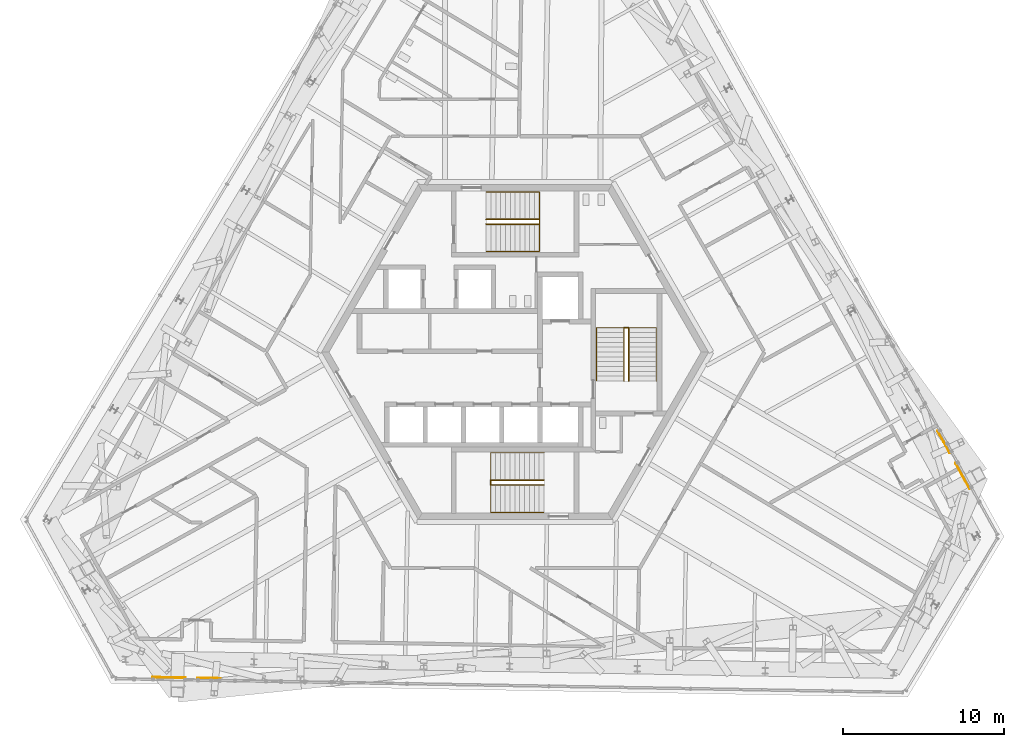
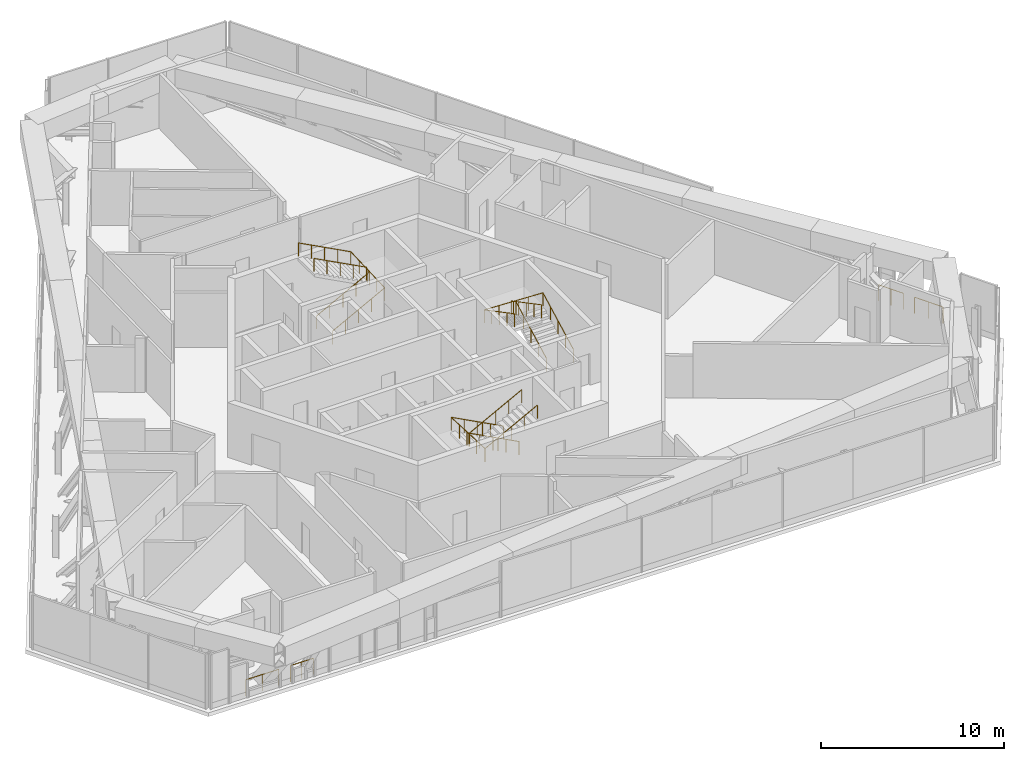
# One storey, part 26 of 28: 10 railings.
"""IFC4 building model written with IfcOpenShell, lengths in metres."""

from ifc_helpers import new_model, si_unit, direction, frame, origin, origin_2d, place, context, subcontext, project, spatial, circle, extrude, source, transform, mapped, material, type_object, element, save


model = new_model("IFC4")

# Units and contexts
model_context = context("Model", 3, precision=1e-05, world=origin(), true_north=direction((0.0, 1.0)))
body_context = subcontext(model_context, "Body", "Model", "MODEL_VIEW")
ifc_project = project(units=[si_unit("LENGTHUNIT", "METRE"), si_unit("AREAUNIT", "SQUARE_METRE"), si_unit("VOLUMEUNIT", "CUBIC_METRE"), si_unit("PLANEANGLEUNIT", "RADIAN"), si_unit("MASSUNIT", "GRAM", prefix="KILO")], contexts=[model_context])

# Site, building, storey
site_placement = place(None, origin())
site = spatial("IfcSite", under=ifc_project, at=site_placement, CompositionType="ELEMENT")
building_placement = place(site_placement, origin())
building = spatial("IfcBuilding", under=site, at=building_placement, Name="Triune Harvest Tower", CompositionType="ELEMENT")
storey_placement = place(building_placement, frame((0.0, 0.0, 215.89990234375)))
storey = spatial("IfcBuildingStorey", under=building, at=storey_placement, Name="L56", CompositionType="ELEMENT", Elevation=215.89990234375)

# Railings
ifc_material_1 = material(Name="Glass", Category="glass")
railing_type_1 = type_object("IfcRailingType", Name="GD-3 facade guard 1100", PredefinedType="GUARDRAIL", material=ifc_material_1)
railing_1_placement = place(storey_placement, frame((28.1943359375, -8.469970703125, 0.0)))
element("IfcRailing", 1, at=railing_1_placement, inside=storey, type_object=railing_type_1, Name="Facade guard B5-F1 L56.1.1", PredefinedType="GUARDRAIL", context=body_context, shape_type="SweptSolid", body=[
    extrude(circle(Radius=0.02392578125, at=origin_2d()), frame((0.0, 0.0, 1.076171875), z_axis=(-0.484736737106, 0.874660102954, 0.0), x_axis=(-0.874660102954, -0.484736737106, 0.0)), (0.0, 0.0, 1.0), 1.8076171875),
    extrude(circle(Radius=0.02099609375, at=origin_2d()), origin(), (0.0, 0.0, 1.0), 1.052001953125),
    extrude(circle(Radius=0.02099609375, at=origin_2d()), frame((-0.43798828125, 0.79052734375, 0.0)), (0.0, 0.0, 1.0), 1.052001953125),
    extrude(circle(Radius=0.02099609375, at=origin_2d()), frame((-0.876220703125, 1.5810546875, 0.0)), (0.0, 0.0, 1.0), 1.052001953125),
])
railing_2_placement = place(storey_placement, frame((26.96533203125, -6.252685546875, 0.0)))
element("IfcRailing", 2, at=railing_2_placement, inside=storey, type_object=railing_type_1, Name="Facade guard B5-F1 L56.1.2", PredefinedType="GUARDRAIL", context=body_context, shape_type="SweptSolid", body=[
    extrude(circle(Radius=0.02392578125, at=origin_2d()), frame((0.0, 0.0, 1.076171875), z_axis=(-0.484871998099, 0.874585127623, 0.0), x_axis=(-0.874585127623, -0.484871998099, 0.0)), (0.0, 0.0, 1.0), 1.559814453125),
    extrude(circle(Radius=0.02099609375, at=origin_2d()), origin(), (0.0, 0.0, 1.0), 1.052001953125),
    extrude(circle(Radius=0.02099609375, at=origin_2d()), frame((-0.378173828125, 0.68212890625, 0.0)), (0.0, 0.0, 1.0), 1.052001953125),
    extrude(circle(Radius=0.02099609375, at=origin_2d()), frame((-0.75634765625, 1.3642578125, 0.0)), (0.0, 0.0, 1.0), 1.052001953125),
])
railing_3_placement = place(storey_placement, frame((-22.491943359375, -20.16357421875, 0.0)))
element("IfcRailing", 3, at=railing_3_placement, inside=storey, type_object=railing_type_1, Name="Facade guard B5-F5 L56.1.1", PredefinedType="GUARDRAIL", context=body_context, shape_type="SweptSolid", body=[
    extrude(circle(Radius=0.02392578125, at=origin_2d()), frame((0.0, 0.0, 1.076171875), z_axis=(0.999846105535, -0.017543239315, 0.0), x_axis=(0.017543239315, 0.999846105535, 0.0)), (0.0, 0.0, 1.0), 2.0595703125),
    extrude(circle(Radius=0.02099609375, at=origin_2d()), origin(), (0.0, 0.0, 1.0), 1.052001953125),
    extrude(circle(Radius=0.02099609375, at=origin_2d()), frame((1.02978515625, -0.01806640625, 0.0)), (0.0, 0.0, 1.0), 1.052001953125),
    extrude(circle(Radius=0.02099609375, at=origin_2d()), frame((2.059326171875, -0.0361328125, 0.0)), (0.0, 0.0, 1.0), 1.052001953125),
])
railing_4_placement = place(storey_placement, frame((-19.705078125, -20.21240234375, 0.0)))
element("IfcRailing", 4, at=railing_4_placement, inside=storey, type_object=railing_type_1, Name="Facade guard B5-F5 L56.1.2", PredefinedType="GUARDRAIL", context=body_context, shape_type="SweptSolid", body=[
    extrude(circle(Radius=0.02392578125, at=origin_2d()), frame((0.0, 0.0, 1.076171875), z_axis=(0.999847873438, -0.017442189685, 0.0), x_axis=(0.017442189685, 0.999847873438, 0.0)), (0.0, 0.0, 1.0), 1.427734375),
    extrude(circle(Radius=0.02099609375, at=origin_2d()), origin(), (0.0, 0.0, 1.0), 1.052001953125),
    extrude(circle(Radius=0.02099609375, at=origin_2d()), frame((0.7138671875, -0.012451171875, 0.0)), (0.0, 0.0, 1.0), 1.052001953125),
    extrude(circle(Radius=0.02099609375, at=origin_2d()), frame((1.427490234375, -0.02490234375, 0.0)), (0.0, 0.0, 1.0), 1.052001953125),
])
ifc_material_2 = material(Name="Stainless steel AISI 316", Category="steel")
railing_type_2 = type_object("IfcRailingType", Name="Stair handrail", PredefinedType="HANDRAIL", material=ifc_material_2)
shared_shape_1 = source(origin(), body_context, "Body", "SweptSolid", [
    extrude(circle(Radius=0.02392578125, at=origin_2d()), frame((0.0, 0.0, 0.8759765625), z_axis=(0.884384002621, 0.0, 0.466760041037), x_axis=(0.0, 1.0, 0.0)), (0.0, 0.0, 1.0), 3.7314453125),
    extrude(circle(Radius=0.02392578125, at=origin_2d()), frame((3.300048828125, 0.0, 2.61767578125), z_axis=(0.0, 0.999087121181, 0.042719132598), x_axis=(-1.0, 0.0, 0.0)), (0.0, 0.0, 1.0), 3.703369140625),
    extrude(circle(Radius=0.02392578125, at=origin_2d()), frame((3.300048828125, 3.699951171875, 2.77587890625), z_axis=(-0.884384002621, 0.0, 0.466760041037), x_axis=(0.0, -1.0, 0.0)), (0.0, 0.0, 1.0), 3.7314453125),
    extrude(circle(Radius=0.02099609375, at=origin_2d()), origin(), (0.0, 0.0, 1.0), 0.851806640625),
    extrude(circle(Radius=0.02099609375, at=origin_2d()), frame((0.824951171875, 0.0, 0.435546875)), (0.0, 0.0, 1.0), 0.851806640625),
    extrude(circle(Radius=0.02099609375, at=origin_2d()), frame((1.64990234375, 0.0, 0.870849609375)), (0.0, 0.0, 1.0), 0.851806640625),
    extrude(circle(Radius=0.02099609375, at=origin_2d()), frame((2.47509765625, 0.0, 1.30615234375)), (0.0, 0.0, 1.0), 0.851806640625),
    extrude(circle(Radius=0.02099609375, at=origin_2d()), frame((3.300048828125, 0.0, 1.74169921875)), (0.0, 0.0, 1.0), 0.851806640625),
    extrude(circle(Radius=0.02099609375, at=origin_2d()), frame((3.300048828125, 0.925048828125, 1.78125)), (0.0, 0.0, 1.0), 0.851806640625),
    extrude(circle(Radius=0.02099609375, at=origin_2d()), frame((3.300048828125, 1.85009765625, 1.82080078125)), (0.0, 0.0, 1.0), 0.851806640625),
    extrude(circle(Radius=0.02099609375, at=origin_2d()), frame((3.300048828125, 2.77490234375, 1.8603515625)), (0.0, 0.0, 1.0), 0.851806640625),
    extrude(circle(Radius=0.02099609375, at=origin_2d()), frame((3.300048828125, 3.699951171875, 1.89990234375)), (0.0, 0.0, 1.0), 0.851806640625),
    extrude(circle(Radius=0.02099609375, at=origin_2d()), frame((2.47509765625, 3.699951171875, 2.33544921875)), (0.0, 0.0, 1.0), 0.851806640625),
    extrude(circle(Radius=0.02099609375, at=origin_2d()), frame((1.64990234375, 3.699951171875, 2.770751953125)), (0.0, 0.0, 1.0), 0.851806640625),
    extrude(circle(Radius=0.02099609375, at=origin_2d()), frame((0.824951171875, 3.699951171875, 3.2060546875)), (0.0, 0.0, 1.0), 0.851806640625),
    extrude(circle(Radius=0.02099609375, at=origin_2d()), frame((0.0, 3.699951171875, 3.6416015625)), (0.0, 0.0, 1.0), 0.851806640625),
])
railing_5_placement = place(storey_placement, frame((-1.7900390625, 6.239990234375, 0.158447265625)))
element("IfcRailing", 5, at=railing_5_placement, inside=storey, type_object=railing_type_2, Name="Exit stair north wall handrail", PredefinedType="HANDRAIL", context=body_context, shape_type="MappedRepresentation", body=[
    mapped(shared_shape_1, transform((0.0, 0.0, 0.0), scale=1.0)),
])
shared_shape_2 = source(origin(), body_context, "Body", "SweptSolid", [
    extrude(circle(Radius=0.02392578125, at=origin_2d()), frame((0.0, 0.0, 0.8759765625), z_axis=(0.884384002621, 0.0, 0.466760041037), x_axis=(0.0, 1.0, 0.0)), (0.0, 0.0, 1.0), 3.7314453125),
    extrude(circle(Radius=0.02392578125, at=origin_2d()), frame((3.300048828125, 0.0, 2.61767578125), z_axis=(0.0, 0.884574499493, 0.466398922434), x_axis=(-1.0, 0.0, 0.0)), (0.0, 0.0, 1.0), 0.339111328125),
    extrude(circle(Radius=0.02392578125, at=origin_2d()), frame((3.300048828125, 0.300048828125, 2.77587890625), z_axis=(-0.884384002621, 0.0, 0.466760041037), x_axis=(0.0, -1.0, 0.0)), (0.0, 0.0, 1.0), 3.7314453125),
    extrude(circle(Radius=0.02099609375, at=origin_2d()), origin(), (0.0, 0.0, 1.0), 0.851806640625),
    extrude(circle(Radius=0.02099609375, at=origin_2d()), frame((0.824951171875, 0.0, 0.435546875)), (0.0, 0.0, 1.0), 0.851806640625),
    extrude(circle(Radius=0.02099609375, at=origin_2d()), frame((1.64990234375, 0.0, 0.870849609375)), (0.0, 0.0, 1.0), 0.851806640625),
    extrude(circle(Radius=0.02099609375, at=origin_2d()), frame((2.47509765625, 0.0, 1.30615234375)), (0.0, 0.0, 1.0), 0.851806640625),
    extrude(circle(Radius=0.02099609375, at=origin_2d()), frame((3.300048828125, 0.0, 1.74169921875)), (0.0, 0.0, 1.0), 0.851806640625),
    extrude(circle(Radius=0.02099609375, at=origin_2d()), frame((3.300048828125, 0.300048828125, 1.89990234375)), (0.0, 0.0, 1.0), 0.851806640625),
    extrude(circle(Radius=0.02099609375, at=origin_2d()), frame((2.47509765625, 0.300048828125, 2.33544921875)), (0.0, 0.0, 1.0), 0.851806640625),
    extrude(circle(Radius=0.02099609375, at=origin_2d()), frame((1.64990234375, 0.300048828125, 2.770751953125)), (0.0, 0.0, 1.0), 0.851806640625),
    extrude(circle(Radius=0.02099609375, at=origin_2d()), frame((0.824951171875, 0.300048828125, 3.2060546875)), (0.0, 0.0, 1.0), 0.851806640625),
    extrude(circle(Radius=0.02099609375, at=origin_2d()), frame((0.0, 0.300048828125, 3.6416015625)), (0.0, 0.0, 1.0), 0.851806640625),
])
railing_6_placement = place(storey_placement, frame((-1.7900390625, 7.93994140625, 0.158447265625)))
element("IfcRailing", 6, at=railing_6_placement, inside=storey, type_object=railing_type_2, Name="Exit stair north centre handrail", PredefinedType="HANDRAIL", context=body_context, shape_type="MappedRepresentation", body=[
    mapped(shared_shape_2, transform((0.0, 0.0, 0.0), scale=1.0)),
])
shared_shape_3 = source(origin(), body_context, "Body", "SweptSolid", [
    extrude(circle(Radius=0.02392578125, at=origin_2d()), frame((0.0, 0.0, 0.8759765625), z_axis=(-0.884384002621, 0.0, 0.466760041037), x_axis=(0.0, -1.0, 0.0)), (0.0, 0.0, 1.0), 3.7314453125),
    extrude(circle(Radius=0.02392578125, at=origin_2d()), frame((-3.300048828125, 0.0, 2.61767578125), z_axis=(0.0, -0.999087121181, 0.042719132598), x_axis=(1.0, 0.0, 0.0)), (0.0, 0.0, 1.0), 3.703369140625),
    extrude(circle(Radius=0.02392578125, at=origin_2d()), frame((-3.300048828125, -3.699951171875, 2.77587890625), z_axis=(0.884384002621, 0.0, 0.466760041037), x_axis=(0.0, 1.0, 0.0)), (0.0, 0.0, 1.0), 3.7314453125),
    extrude(circle(Radius=0.02099609375, at=origin_2d()), origin(), (0.0, 0.0, 1.0), 0.851806640625),
    extrude(circle(Radius=0.02099609375, at=origin_2d()), frame((-0.824951171875, 0.0, 0.435546875)), (0.0, 0.0, 1.0), 0.851806640625),
    extrude(circle(Radius=0.02099609375, at=origin_2d()), frame((-1.64990234375, 0.0, 0.870849609375)), (0.0, 0.0, 1.0), 0.851806640625),
    extrude(circle(Radius=0.02099609375, at=origin_2d()), frame((-2.47509765625, 0.0, 1.30615234375)), (0.0, 0.0, 1.0), 0.851806640625),
    extrude(circle(Radius=0.02099609375, at=origin_2d()), frame((-3.300048828125, 0.0, 1.74169921875)), (0.0, 0.0, 1.0), 0.851806640625),
    extrude(circle(Radius=0.02099609375, at=origin_2d()), frame((-3.300048828125, -0.925048828125, 1.78125)), (0.0, 0.0, 1.0), 0.851806640625),
    extrude(circle(Radius=0.02099609375, at=origin_2d()), frame((-3.300048828125, -1.85009765625, 1.82080078125)), (0.0, 0.0, 1.0), 0.851806640625),
    extrude(circle(Radius=0.02099609375, at=origin_2d()), frame((-3.300048828125, -2.77490234375, 1.8603515625)), (0.0, 0.0, 1.0), 0.851806640625),
    extrude(circle(Radius=0.02099609375, at=origin_2d()), frame((-3.300048828125, -3.699951171875, 1.89990234375)), (0.0, 0.0, 1.0), 0.851806640625),
    extrude(circle(Radius=0.02099609375, at=origin_2d()), frame((-2.47509765625, -3.699951171875, 2.33544921875)), (0.0, 0.0, 1.0), 0.851806640625),
    extrude(circle(Radius=0.02099609375, at=origin_2d()), frame((-1.64990234375, -3.699951171875, 2.770751953125)), (0.0, 0.0, 1.0), 0.851806640625),
    extrude(circle(Radius=0.02099609375, at=origin_2d()), frame((-0.824951171875, -3.699951171875, 3.2060546875)), (0.0, 0.0, 1.0), 0.851806640625),
    extrude(circle(Radius=0.02099609375, at=origin_2d()), frame((0.0, -3.699951171875, 3.6416015625)), (0.0, 0.0, 1.0), 0.851806640625),
])
railing_7_placement = place(storey_placement, frame((1.7900390625, -6.239990234375, 0.158447265625)))
element("IfcRailing", 7, at=railing_7_placement, inside=storey, type_object=railing_type_2, Name="Exit stair south wall handrail", PredefinedType="HANDRAIL", context=body_context, shape_type="MappedRepresentation", body=[
    mapped(shared_shape_3, transform((0.0, 0.0, 0.0), scale=1.0)),
])
shared_shape_4 = source(origin(), body_context, "Body", "SweptSolid", [
    extrude(circle(Radius=0.02392578125, at=origin_2d()), frame((0.0, 0.0, 0.8759765625), z_axis=(-0.884384002621, 0.0, 0.466760041037), x_axis=(0.0, -1.0, 0.0)), (0.0, 0.0, 1.0), 3.7314453125),
    extrude(circle(Radius=0.02392578125, at=origin_2d()), frame((-3.300048828125, 0.0, 2.61767578125), z_axis=(0.0, -0.884574499493, 0.466398922434), x_axis=(1.0, 0.0, 0.0)), (0.0, 0.0, 1.0), 0.339111328125),
    extrude(circle(Radius=0.02392578125, at=origin_2d()), frame((-3.300048828125, -0.300048828125, 2.77587890625), z_axis=(0.884384002621, 0.0, 0.466760041037), x_axis=(0.0, 1.0, 0.0)), (0.0, 0.0, 1.0), 3.7314453125),
    extrude(circle(Radius=0.02099609375, at=origin_2d()), origin(), (0.0, 0.0, 1.0), 0.851806640625),
    extrude(circle(Radius=0.02099609375, at=origin_2d()), frame((-0.824951171875, 0.0, 0.435546875)), (0.0, 0.0, 1.0), 0.851806640625),
    extrude(circle(Radius=0.02099609375, at=origin_2d()), frame((-1.64990234375, 0.0, 0.870849609375)), (0.0, 0.0, 1.0), 0.851806640625),
    extrude(circle(Radius=0.02099609375, at=origin_2d()), frame((-2.47509765625, 0.0, 1.30615234375)), (0.0, 0.0, 1.0), 0.851806640625),
    extrude(circle(Radius=0.02099609375, at=origin_2d()), frame((-3.300048828125, 0.0, 1.74169921875)), (0.0, 0.0, 1.0), 0.851806640625),
    extrude(circle(Radius=0.02099609375, at=origin_2d()), frame((-3.300048828125, -0.300048828125, 1.89990234375)), (0.0, 0.0, 1.0), 0.851806640625),
    extrude(circle(Radius=0.02099609375, at=origin_2d()), frame((-2.47509765625, -0.300048828125, 2.33544921875)), (0.0, 0.0, 1.0), 0.851806640625),
    extrude(circle(Radius=0.02099609375, at=origin_2d()), frame((-1.64990234375, -0.300048828125, 2.770751953125)), (0.0, 0.0, 1.0), 0.851806640625),
    extrude(circle(Radius=0.02099609375, at=origin_2d()), frame((-0.824951171875, -0.300048828125, 3.2060546875)), (0.0, 0.0, 1.0), 0.851806640625),
    extrude(circle(Radius=0.02099609375, at=origin_2d()), frame((0.0, -0.300048828125, 3.6416015625)), (0.0, 0.0, 1.0), 0.851806640625),
])
railing_8_placement = place(storey_placement, frame((1.7900390625, -7.93994140625, 0.158447265625)))
element("IfcRailing", 8, at=railing_8_placement, inside=storey, type_object=railing_type_2, Name="Exit stair south centre handrail", PredefinedType="HANDRAIL", context=body_context, shape_type="MappedRepresentation", body=[
    mapped(shared_shape_4, transform((0.0, 0.0, 0.0), scale=1.0)),
])
shared_shape_5 = source(origin(), body_context, "Body", "SweptSolid", [
    extrude(circle(Radius=0.02392578125, at=origin_2d()), frame((0.0, 0.0, 0.8759765625), z_axis=(0.0, 0.884384002621, 0.466760041037), x_axis=(-1.0, 0.0, 0.0)), (0.0, 0.0, 1.0), 3.7314453125),
    extrude(circle(Radius=0.02392578125, at=origin_2d()), frame((0.0, 3.300048828125, 2.61767578125), z_axis=(-0.999087121181, 0.0, 0.042719132598), x_axis=(0.0, -1.0, 0.0)), (0.0, 0.0, 1.0), 3.703369140625),
    extrude(circle(Radius=0.02392578125, at=origin_2d()), frame((-3.699951171875, 3.300048828125, 2.77587890625), z_axis=(0.0, -0.884384002621, 0.466760041037), x_axis=(1.0, 0.0, 0.0)), (0.0, 0.0, 1.0), 3.7314453125),
    extrude(circle(Radius=0.02099609375, at=origin_2d()), origin(), (0.0, 0.0, 1.0), 0.851806640625),
    extrude(circle(Radius=0.02099609375, at=origin_2d()), frame((0.0, 0.824951171875, 0.435546875)), (0.0, 0.0, 1.0), 0.851806640625),
    extrude(circle(Radius=0.02099609375, at=origin_2d()), frame((0.0, 1.64990234375, 0.870849609375)), (0.0, 0.0, 1.0), 0.851806640625),
    extrude(circle(Radius=0.02099609375, at=origin_2d()), frame((0.0, 2.47509765625, 1.30615234375)), (0.0, 0.0, 1.0), 0.851806640625),
    extrude(circle(Radius=0.02099609375, at=origin_2d()), frame((0.0, 3.300048828125, 1.74169921875)), (0.0, 0.0, 1.0), 0.851806640625),
    extrude(circle(Radius=0.02099609375, at=origin_2d()), frame((-0.925048828125, 3.300048828125, 1.78125)), (0.0, 0.0, 1.0), 0.851806640625),
    extrude(circle(Radius=0.02099609375, at=origin_2d()), frame((-1.85009765625, 3.300048828125, 1.82080078125)), (0.0, 0.0, 1.0), 0.851806640625),
    extrude(circle(Radius=0.02099609375, at=origin_2d()), frame((-2.77490234375, 3.300048828125, 1.8603515625)), (0.0, 0.0, 1.0), 0.851806640625),
    extrude(circle(Radius=0.02099609375, at=origin_2d()), frame((-3.699951171875, 3.300048828125, 1.89990234375)), (0.0, 0.0, 1.0), 0.851806640625),
    extrude(circle(Radius=0.02099609375, at=origin_2d()), frame((-3.699951171875, 2.47509765625, 2.33544921875)), (0.0, 0.0, 1.0), 0.851806640625),
    extrude(circle(Radius=0.02099609375, at=origin_2d()), frame((-3.699951171875, 1.64990234375, 2.770751953125)), (0.0, 0.0, 1.0), 0.851806640625),
    extrude(circle(Radius=0.02099609375, at=origin_2d()), frame((-3.699951171875, 0.824951171875, 3.2060546875)), (0.0, 0.0, 1.0), 0.851806640625),
    extrude(circle(Radius=0.02099609375, at=origin_2d()), frame((-3.699951171875, 0.0, 3.6416015625)), (0.0, 0.0, 1.0), 0.851806640625),
])
railing_9_placement = place(storey_placement, frame((8.75, -1.7900390625, 0.158447265625)))
element("IfcRailing", 9, at=railing_9_placement, inside=storey, type_object=railing_type_2, Name="Exit stair east wall handrail", PredefinedType="HANDRAIL", context=body_context, shape_type="MappedRepresentation", body=[
    mapped(shared_shape_5, transform((0.0, 0.0, 0.0), scale=1.0)),
])
shared_shape_6 = source(origin(), body_context, "Body", "SweptSolid", [
    extrude(circle(Radius=0.02392578125, at=origin_2d()), frame((0.0, 0.0, 0.8759765625), z_axis=(0.0, 0.884384002621, 0.466760041037), x_axis=(-1.0, 0.0, 0.0)), (0.0, 0.0, 1.0), 3.7314453125),
    extrude(circle(Radius=0.02392578125, at=origin_2d()), frame((0.0, 3.300048828125, 2.61767578125), z_axis=(-0.884574499493, 0.0, 0.466398922434), x_axis=(0.0, -1.0, 0.0)), (0.0, 0.0, 1.0), 0.339111328125),
    extrude(circle(Radius=0.02392578125, at=origin_2d()), frame((-0.300048828125, 3.300048828125, 2.77587890625), z_axis=(0.0, -0.884384002621, 0.466760041037), x_axis=(1.0, 0.0, 0.0)), (0.0, 0.0, 1.0), 3.7314453125),
    extrude(circle(Radius=0.02099609375, at=origin_2d()), origin(), (0.0, 0.0, 1.0), 0.851806640625),
    extrude(circle(Radius=0.02099609375, at=origin_2d()), frame((0.0, 0.824951171875, 0.435546875)), (0.0, 0.0, 1.0), 0.851806640625),
    extrude(circle(Radius=0.02099609375, at=origin_2d()), frame((0.0, 1.64990234375, 0.870849609375)), (0.0, 0.0, 1.0), 0.851806640625),
    extrude(circle(Radius=0.02099609375, at=origin_2d()), frame((0.0, 2.47509765625, 1.30615234375)), (0.0, 0.0, 1.0), 0.851806640625),
    extrude(circle(Radius=0.02099609375, at=origin_2d()), frame((0.0, 3.300048828125, 1.74169921875)), (0.0, 0.0, 1.0), 0.851806640625),
    extrude(circle(Radius=0.02099609375, at=origin_2d()), frame((-0.300048828125, 3.300048828125, 1.89990234375)), (0.0, 0.0, 1.0), 0.851806640625),
    extrude(circle(Radius=0.02099609375, at=origin_2d()), frame((-0.300048828125, 2.47509765625, 2.33544921875)), (0.0, 0.0, 1.0), 0.851806640625),
    extrude(circle(Radius=0.02099609375, at=origin_2d()), frame((-0.300048828125, 1.64990234375, 2.770751953125)), (0.0, 0.0, 1.0), 0.851806640625),
    extrude(circle(Radius=0.02099609375, at=origin_2d()), frame((-0.300048828125, 0.824951171875, 3.2060546875)), (0.0, 0.0, 1.0), 0.851806640625),
    extrude(circle(Radius=0.02099609375, at=origin_2d()), frame((-0.300048828125, 0.0, 3.6416015625)), (0.0, 0.0, 1.0), 0.851806640625),
])
railing_10_placement = place(storey_placement, frame((7.050048828125, -1.7900390625, 0.158447265625)))
element("IfcRailing", 10, at=railing_10_placement, inside=storey, type_object=railing_type_2, Name="Exit stair east centre handrail", PredefinedType="HANDRAIL", context=body_context, shape_type="MappedRepresentation", body=[
    mapped(shared_shape_6, transform((0.0, 0.0, 0.0), scale=1.0)),
])

save(model, "model.ifc")
